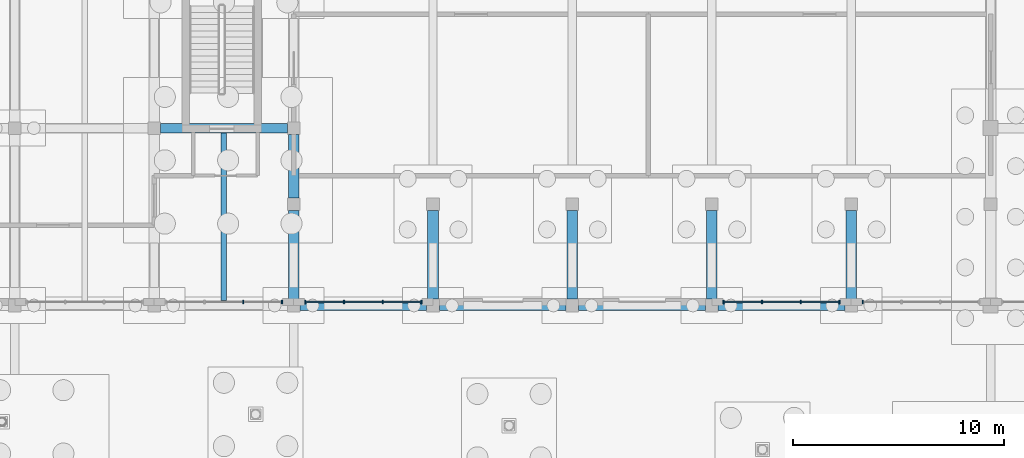
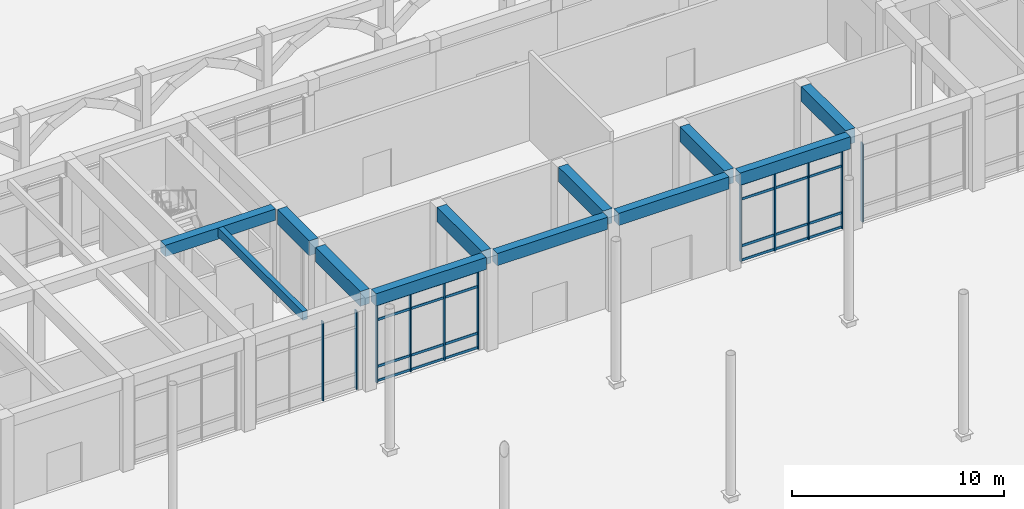
# One storey, part 29 of 82: 19 members, 12 beams, 4 elements without a shape of their own.
"""IFC4 building model written with IfcOpenShell, lengths in metres."""

from ifc_helpers import new_model, si_unit, direction, frame, origin, origin_2d, place, context, subcontext, project, spatial, rectangle, extrude, material, layer, layer_set, material_profile, profile_set, type_object, element, aggregate, save


model = new_model("IFC4")

# Units and contexts
model_context = context("Model", 3, precision=1e-05, world=origin(), true_north=direction((0.0, 1.0)))
body_context = subcontext(model_context, "Body", "Model", "MODEL_VIEW")
ifc_project = project(units=[si_unit("LENGTHUNIT", "METRE"), si_unit("AREAUNIT", "SQUARE_METRE"), si_unit("VOLUMEUNIT", "CUBIC_METRE"), si_unit("PLANEANGLEUNIT", "RADIAN"), si_unit("MASSUNIT", "GRAM", prefix="KILO")], contexts=[model_context])

# Site, building, storey
site_placement = place(None, origin())
site = spatial("IfcSite", under=ifc_project, at=site_placement, CompositionType="ELEMENT")
building_placement = place(site_placement, origin())
building = spatial("IfcBuilding", under=site, at=building_placement, Name="Kolvaren Faculty of Natural Sciences", CompositionType="ELEMENT")
storey_placement = place(building_placement, origin())
storey = spatial("IfcBuildingStorey", under=building, at=storey_placement, Name="L00", CompositionType="ELEMENT", Elevation=0.0)

# Curtain wall, member
ifc_material_1 = material(Name="Thermally broken anodised aluminium framing", Category="aluminium")
ifc_layer = layer(ifc_material_1, 0.179931640625)
ifc_layer_set = layer_set([ifc_layer], Name="Thermally broken anodised aluminium framing")
curtain_wall_type = type_object("IfcCurtainWallType", Name="AtriumCurtainWall_CW01", PredefinedType="NOTDEFINED", material=ifc_layer_set)
curtain_wall_1_placement = place(storey_placement, origin())
curtain_wall_1 = element("IfcCurtainWall", 1, at=curtain_wall_1_placement, inside=storey, type_object=curtain_wall_type, Name="L00 unitised curtain wall CW-01 (CW-L00-002)", PredefinedType="NOTDEFINED")
ifc_material_profile_1 = material_profile(ifc_material_1, rectangle(XDim=0.06005859375, YDim=0.179931640625, at=origin_2d()), Name="ALU MUL 60x180")
ifc_profile_set_1 = profile_set([ifc_material_profile_1], Name="Thermally broken anodised aluminium framing")
member_type_1 = type_object("IfcMemberType", Name="CurtainMullion_60x180", PredefinedType="MULLION", material=ifc_profile_set_1)
member_1_placement = place(storey_placement, frame((93.14990234375, 67.570068359375, 0.0), z_axis=(0.0, 0.0, 1.0), x_axis=(-1.0, 0.0, 0.0)))
member_1 = element("IfcMember", 2, at=member_1_placement, type_object=member_type_1, Name="CW-L00-002 vertical mullion 4", PredefinedType="MULLION", context=body_context, shape_type="SweptSolid", body=[
    extrude(rectangle(XDim=0.06005859375, YDim=0.179931640625, at=origin_2d()), origin(), (0.0, 0.0, 1.0), 4.534912109375),
])
aggregate(curtain_wall_1, [member_1])

# Curtain wall, members
curtain_wall_2_placement = place(storey_placement, origin())
curtain_wall_2 = element("IfcCurtainWall", 3, at=curtain_wall_2_placement, inside=storey, type_object=curtain_wall_type, Name="L00 unitised curtain wall CW-01 (CW-L00-003)", PredefinedType="NOTDEFINED")
member_2_placement = place(storey_placement, frame((92.050048828125, 67.570068359375, 0.0), z_axis=(0.0, 0.0, 1.0), x_axis=(-1.0, 0.0, 0.0)))
member_2 = element("IfcMember", 4, at=member_2_placement, type_object=member_type_1, Name="CW-L00-003 vertical mullion 1", PredefinedType="MULLION", context=body_context, shape_type="SweptSolid", body=[
    extrude(rectangle(XDim=0.06005859375, YDim=0.179931640625, at=origin_2d()), origin(), (0.0, 0.0, 1.0), 4.534912109375),
])
member_3_placement = place(storey_placement, frame((90.216796875, 67.570068359375, 0.0), z_axis=(0.0, 0.0, 1.0), x_axis=(-1.0, 0.0, 0.0)))
member_3 = element("IfcMember", 5, at=member_3_placement, type_object=member_type_1, Name="CW-L00-003 vertical mullion 2", PredefinedType="MULLION", context=body_context, shape_type="SweptSolid", body=[
    extrude(rectangle(XDim=0.06005859375, YDim=0.179931640625, at=origin_2d()), origin(), (0.0, 0.0, 1.0), 4.534912109375),
])
member_4_placement = place(storey_placement, frame((88.38330078125, 67.570068359375, 0.0), z_axis=(0.0, 0.0, 1.0), x_axis=(-1.0, 0.0, 0.0)))
member_4 = element("IfcMember", 6, at=member_4_placement, type_object=member_type_1, Name="CW-L00-003 vertical mullion 3", PredefinedType="MULLION", context=body_context, shape_type="SweptSolid", body=[
    extrude(rectangle(XDim=0.06005859375, YDim=0.179931640625, at=origin_2d()), origin(), (0.0, 0.0, 1.0), 4.534912109375),
])
member_5_placement = place(storey_placement, frame((86.550048828125, 67.570068359375, 0.0), z_axis=(0.0, 0.0, 1.0), x_axis=(-1.0, 0.0, 0.0)))
member_5 = element("IfcMember", 7, at=member_5_placement, type_object=member_type_1, Name="CW-L00-003 vertical mullion 4", PredefinedType="MULLION", context=body_context, shape_type="SweptSolid", body=[
    extrude(rectangle(XDim=0.06005859375, YDim=0.179931640625, at=origin_2d()), origin(), (0.0, 0.0, 1.0), 4.534912109375),
])

curtain_wall_3_placement = place(storey_placement, origin())
curtain_wall_3 = element("IfcCurtainWall", 8, at=curtain_wall_3_placement, inside=storey, type_object=curtain_wall_type, Name="L00 unitised curtain wall CW-01 (CW-L00-004)", PredefinedType="NOTDEFINED")
member_6_placement = place(storey_placement, frame((72.25, 67.570068359375, 0.0), z_axis=(0.0, 0.0, 1.0), x_axis=(-1.0, 0.0, 0.0)))
member_6 = element("IfcMember", 9, at=member_6_placement, type_object=member_type_1, Name="CW-L00-004 vertical mullion 1", PredefinedType="MULLION", context=body_context, shape_type="SweptSolid", body=[
    extrude(rectangle(XDim=0.06005859375, YDim=0.179931640625, at=origin_2d()), origin(), (0.0, 0.0, 1.0), 4.534912109375),
])
member_7_placement = place(storey_placement, frame((70.416748046875, 67.570068359375, 0.0), z_axis=(0.0, 0.0, 1.0), x_axis=(-1.0, 0.0, 0.0)))
member_7 = element("IfcMember", 10, at=member_7_placement, type_object=member_type_1, Name="CW-L00-004 vertical mullion 2", PredefinedType="MULLION", context=body_context, shape_type="SweptSolid", body=[
    extrude(rectangle(XDim=0.06005859375, YDim=0.179931640625, at=origin_2d()), origin(), (0.0, 0.0, 1.0), 4.534912109375),
])
member_8_placement = place(storey_placement, frame((68.583251953125, 67.570068359375, 0.0), z_axis=(0.0, 0.0, 1.0), x_axis=(-1.0, 0.0, 0.0)))
member_8 = element("IfcMember", 11, at=member_8_placement, type_object=member_type_1, Name="CW-L00-004 vertical mullion 3", PredefinedType="MULLION", context=body_context, shape_type="SweptSolid", body=[
    extrude(rectangle(XDim=0.06005859375, YDim=0.179931640625, at=origin_2d()), origin(), (0.0, 0.0, 1.0), 4.534912109375),
])
member_9_placement = place(storey_placement, frame((66.75, 67.570068359375, 0.0), z_axis=(0.0, 0.0, 1.0), x_axis=(-1.0, 0.0, 0.0)))
member_9 = element("IfcMember", 12, at=member_9_placement, type_object=member_type_1, Name="CW-L00-004 vertical mullion 4", PredefinedType="MULLION", context=body_context, shape_type="SweptSolid", body=[
    extrude(rectangle(XDim=0.06005859375, YDim=0.179931640625, at=origin_2d()), origin(), (0.0, 0.0, 1.0), 4.534912109375),
])

curtain_wall_4_placement = place(storey_placement, origin())
curtain_wall_4 = element("IfcCurtainWall", 13, at=curtain_wall_4_placement, inside=storey, type_object=curtain_wall_type, Name="L00 unitised curtain wall CW-01 (CW-L00-005)", PredefinedType="NOTDEFINED")
member_10_placement = place(storey_placement, frame((65.64990234375, 67.570068359375, 0.0), z_axis=(0.0, 0.0, 1.0), x_axis=(-1.0, 0.0, 0.0)))
member_10 = element("IfcMember", 14, at=member_10_placement, type_object=member_type_1, Name="CW-L00-005 vertical mullion 1", PredefinedType="MULLION", context=body_context, shape_type="SweptSolid", body=[
    extrude(rectangle(XDim=0.06005859375, YDim=0.179931640625, at=origin_2d()), origin(), (0.0, 0.0, 1.0), 4.534912109375),
])
member_11_placement = place(storey_placement, frame((63.816650390625, 67.570068359375, 0.0), z_axis=(0.0, 0.0, 1.0), x_axis=(-1.0, 0.0, 0.0)))
member_11 = element("IfcMember", 15, at=member_11_placement, type_object=member_type_1, Name="CW-L00-005 vertical mullion 2", PredefinedType="MULLION", context=body_context, shape_type="SweptSolid", body=[
    extrude(rectangle(XDim=0.06005859375, YDim=0.179931640625, at=origin_2d()), origin(), (0.0, 0.0, 1.0), 4.534912109375),
])
aggregate(curtain_wall_4, [member_10, member_11])

# Member
ifc_material_profile_2 = material_profile(ifc_material_1, rectangle(XDim=0.06005859375, YDim=0.139892578125, at=origin_2d()), Name="ALU TRN 60x140")
ifc_profile_set_2 = profile_set([ifc_material_profile_2], Name="Thermally broken anodised aluminium framing")
member_type_2 = type_object("IfcMemberType", Name="CurtainTransom_60x140", PredefinedType="USERDEFINED", material=ifc_profile_set_2)
member_12_placement = place(storey_placement, frame((92.050048828125, 67.570068359375, 0.080078125), z_axis=(-1.0, 0.0, 0.0), x_axis=(0.0, -1.0, 0.0)))
member_12 = element("IfcMember", 16, at=member_12_placement, type_object=member_type_2, Name="CW-L00-003 horizontal transom 1", ObjectType="TRANSOM", PredefinedType="USERDEFINED", context=body_context, shape_type="SweptSolid", body=[
    extrude(rectangle(XDim=0.06005859375, YDim=0.139892578125, at=origin_2d()), origin(), (0.0, 0.0, 1.0), 5.5),
])

member_13_placement = place(storey_placement, frame((92.050048828125, 67.570068359375, 0.89990234375), z_axis=(-1.0, 0.0, 0.0), x_axis=(0.0, -1.0, 0.0)))
member_13 = element("IfcMember", 17, at=member_13_placement, type_object=member_type_2, Name="CW-L00-003 horizontal transom 2", ObjectType="TRANSOM", PredefinedType="USERDEFINED", context=body_context, shape_type="SweptSolid", body=[
    extrude(rectangle(XDim=0.06005859375, YDim=0.139892578125, at=origin_2d()), origin(), (0.0, 0.0, 1.0), 5.5),
])

member_14_placement = place(storey_placement, frame((92.050048828125, 67.570068359375, 3.5849609375), z_axis=(-1.0, 0.0, 0.0), x_axis=(0.0, -1.0, 0.0)))
member_14 = element("IfcMember", 18, at=member_14_placement, type_object=member_type_2, Name="CW-L00-003 horizontal transom 3", ObjectType="TRANSOM", PredefinedType="USERDEFINED", context=body_context, shape_type="SweptSolid", body=[
    extrude(rectangle(XDim=0.06005859375, YDim=0.139892578125, at=origin_2d()), origin(), (0.0, 0.0, 1.0), 5.5),
])

member_15_placement = place(storey_placement, frame((92.050048828125, 67.570068359375, 4.455078125), z_axis=(-1.0, 0.0, 0.0), x_axis=(0.0, -1.0, 0.0)))
member_15 = element("IfcMember", 19, at=member_15_placement, type_object=member_type_2, Name="CW-L00-003 horizontal transom 4", ObjectType="TRANSOM", PredefinedType="USERDEFINED", context=body_context, shape_type="SweptSolid", body=[
    extrude(rectangle(XDim=0.06005859375, YDim=0.139892578125, at=origin_2d()), origin(), (0.0, 0.0, 1.0), 5.5),
])

aggregate(curtain_wall_2, [member_2, member_3, member_4, member_5, member_12, member_13, member_14, member_15])

member_16_placement = place(storey_placement, frame((72.25, 67.570068359375, 0.080078125), z_axis=(-1.0, 0.0, 0.0), x_axis=(0.0, -1.0, 0.0)))
member_16 = element("IfcMember", 20, at=member_16_placement, type_object=member_type_2, Name="CW-L00-004 horizontal transom 1", ObjectType="TRANSOM", PredefinedType="USERDEFINED", context=body_context, shape_type="SweptSolid", body=[
    extrude(rectangle(XDim=0.06005859375, YDim=0.139892578125, at=origin_2d()), origin(), (0.0, 0.0, 1.0), 5.5),
])

member_17_placement = place(storey_placement, frame((72.25, 67.570068359375, 0.89990234375), z_axis=(-1.0, 0.0, 0.0), x_axis=(0.0, -1.0, 0.0)))
member_17 = element("IfcMember", 21, at=member_17_placement, type_object=member_type_2, Name="CW-L00-004 horizontal transom 2", ObjectType="TRANSOM", PredefinedType="USERDEFINED", context=body_context, shape_type="SweptSolid", body=[
    extrude(rectangle(XDim=0.06005859375, YDim=0.139892578125, at=origin_2d()), origin(), (0.0, 0.0, 1.0), 5.5),
])

member_18_placement = place(storey_placement, frame((72.25, 67.570068359375, 3.5849609375), z_axis=(-1.0, 0.0, 0.0), x_axis=(0.0, -1.0, 0.0)))
member_18 = element("IfcMember", 22, at=member_18_placement, type_object=member_type_2, Name="CW-L00-004 horizontal transom 3", ObjectType="TRANSOM", PredefinedType="USERDEFINED", context=body_context, shape_type="SweptSolid", body=[
    extrude(rectangle(XDim=0.06005859375, YDim=0.139892578125, at=origin_2d()), origin(), (0.0, 0.0, 1.0), 5.5),
])

member_19_placement = place(storey_placement, frame((72.25, 67.570068359375, 4.455078125), z_axis=(-1.0, 0.0, 0.0), x_axis=(0.0, -1.0, 0.0)))
member_19 = element("IfcMember", 23, at=member_19_placement, type_object=member_type_2, Name="CW-L00-004 horizontal transom 4", ObjectType="TRANSOM", PredefinedType="USERDEFINED", context=body_context, shape_type="SweptSolid", body=[
    extrude(rectangle(XDim=0.06005859375, YDim=0.139892578125, at=origin_2d()), origin(), (0.0, 0.0, 1.0), 5.5),
])

aggregate(curtain_wall_3, [member_6, member_7, member_8, member_9, member_16, member_17, member_18, member_19])

# Beams
ifc_material_2 = material(Name="Concrete C35/45", Category="concrete")
ifc_material_profile_3 = material_profile(ifc_material_2, rectangle(XDim=0.449951171875, YDim=0.64990234375, at=origin_2d()), Name="RC BM 450x650")
ifc_profile_set_3 = profile_set([ifc_material_profile_3], Name="Concrete C35/45")
beam_type_1 = type_object("IfcBeamType", Name="GridBeam_450x650", PredefinedType="BEAM", material=ifc_profile_set_3)
beam_1_placement = place(storey_placement, frame((59.89990234375, 75.800048828125, 5.074951171875), z_axis=(1.0, 0.0, 0.0), x_axis=(0.0, 1.0, 0.0)))
element("IfcBeam", 24, at=beam_1_placement, inside=storey, type_object=beam_type_1, Name="L00 beam BM-65 on grid K", PredefinedType="BEAM", context=body_context, shape_type="SweptSolid", body=[
    extrude(rectangle(XDim=0.449951171875, YDim=0.64990234375, at=origin_2d()), origin(), (0.0, 0.0, 1.0), 6.0),
])
ifc_material_profile_4 = material_profile(ifc_material_2, rectangle(XDim=0.260009765625, YDim=0.5, at=origin_2d()), Name="RC JST 260x500")
ifc_profile_set_4 = profile_set([ifc_material_profile_4], Name="Concrete C35/45")
beam_type_2 = type_object("IfcBeamType", Name="LabRibJoist_260x500", PredefinedType="JOIST", material=ifc_profile_set_4)
beam_2_placement = place(storey_placement, frame((62.89990234375, 67.625, 5.14990234375), z_axis=(0.0, 1.0, 0.0), x_axis=(-1.0, 0.0, 0.0)))
element("IfcBeam", 25, at=beam_2_placement, inside=storey, type_object=beam_type_2, Name="L00 ribbed laboratory slab joist JS-50", PredefinedType="JOIST", context=body_context, shape_type="SweptSolid", body=[
    extrude(rectangle(XDim=0.260009765625, YDim=0.5, at=origin_2d()), origin(), (0.0, 0.0, 1.0), 7.949951171875),
])
ifc_material_profile_5 = material_profile(ifc_material_2, rectangle(XDim=0.449951171875, YDim=0.699951171875, at=origin_2d()), Name="RC SP 450x700")
ifc_profile_set_5 = profile_set([ifc_material_profile_5], Name="Concrete C35/45")
beam_type_3 = type_object("IfcBeamType", Name="PerimeterSpandrel_450x700", PredefinedType="SPANDREL", material=ifc_profile_set_5)
for number, where, z_axis, x_axis, name in (
    (26, (66.5, 67.39990234375, 5.050048828125), (1.0, 0.0, 0.0), (0.0, 1.0, 0.0), "L00 spandrel SP-70 on grid J"),
    (27, (73.10009765625, 67.39990234375, 5.050048828125), (1.0, 0.0, 0.0), (0.0, 1.0, 0.0), "L00 spandrel SP-70 on grid J"),
    (28, (79.699951171875, 67.39990234375, 5.050048828125), (1.0, 0.0, 0.0), (0.0, 1.0, 0.0), "L00 spandrel SP-70 on grid J"),
    (29, (86.300048828125, 67.39990234375, 5.050048828125), (1.0, 0.0, 0.0), (0.0, 1.0, 0.0), "L00 spandrel SP-70 on grid J"),
):
    element("IfcBeam", number, at=place(storey_placement, frame(where, z_axis=z_axis, x_axis=x_axis)), inside=storey, type_object=beam_type_3, Name=name, PredefinedType="SPANDREL", context=body_context, shape_type="SweptSolid", body=[
        extrude(rectangle(XDim=0.449951171875, YDim=0.699951171875, at=origin_2d()), origin(), (0.0, 0.0, 1.0), 6.0),
    ])
ifc_material_profile_6 = material_profile(ifc_material_2, rectangle(XDim=0.5, YDim=0.85009765625, at=origin_2d()), Name="RC BM 500x850")
ifc_profile_set_6 = profile_set([ifc_material_profile_6], Name="Concrete C35/45")
beam_type_4 = type_object("IfcBeamType", Name="PrimaryGirder_500x850", PredefinedType="BEAM", material=ifc_profile_set_6)
beam_3_placement = place(storey_placement, frame((66.199951171875, 67.699951171875, 4.97509765625), z_axis=(0.0, 1.0, 0.0), x_axis=(-1.0, 0.0, 0.0)))
element("IfcBeam", 30, at=beam_3_placement, inside=storey, type_object=beam_type_4, Name="L00 girder BG-85 on grid 11", PredefinedType="BEAM", context=body_context, shape_type="SweptSolid", body=[
    extrude(rectangle(XDim=0.5, YDim=0.85009765625, at=origin_2d()), origin(), (0.0, 0.0, 1.0), 4.199951171875),
])
beam_4_placement = place(storey_placement, frame((66.199951171875, 72.5, 4.97509765625), z_axis=(0.0, 1.0, 0.0), x_axis=(-1.0, 0.0, 0.0)))
element("IfcBeam", 31, at=beam_4_placement, inside=storey, type_object=beam_type_4, Name="L00 girder BG-85 on grid 11", PredefinedType="BEAM", context=body_context, shape_type="SweptSolid", body=[
    extrude(rectangle(XDim=0.5, YDim=0.85009765625, at=origin_2d()), origin(), (0.0, 0.0, 1.0), 3.0),
])
for number, where, z_axis, x_axis, name in (
    (32, (72.800048828125, 67.699951171875, 4.97509765625), (0.0, 1.0, 0.0), (-1.0, 0.0, 0.0), "L00 girder BG-85 on grid 12"),
    (33, (79.39990234375, 67.699951171875, 4.97509765625), (0.0, 1.0, 0.0), (-1.0, 0.0, 0.0), "L00 girder BG-85 on grid 13"),
    (34, (86.0, 67.699951171875, 4.97509765625), (0.0, 1.0, 0.0), (-1.0, 0.0, 0.0), "L00 girder BG-85 on grid 14"),
    (35, (92.60009765625, 67.699951171875, 4.97509765625), (0.0, 1.0, 0.0), (-1.0, 0.0, 0.0), "L00 girder BG-85 on grid 15"),
):
    element("IfcBeam", number, at=place(storey_placement, frame(where, z_axis=z_axis, x_axis=x_axis)), inside=storey, type_object=beam_type_4, Name=name, PredefinedType="BEAM", context=body_context, shape_type="SweptSolid", body=[
        extrude(rectangle(XDim=0.5, YDim=0.85009765625, at=origin_2d()), origin(), (0.0, 0.0, 1.0), 4.199951171875),
    ])

save(model, "model.ifc")
